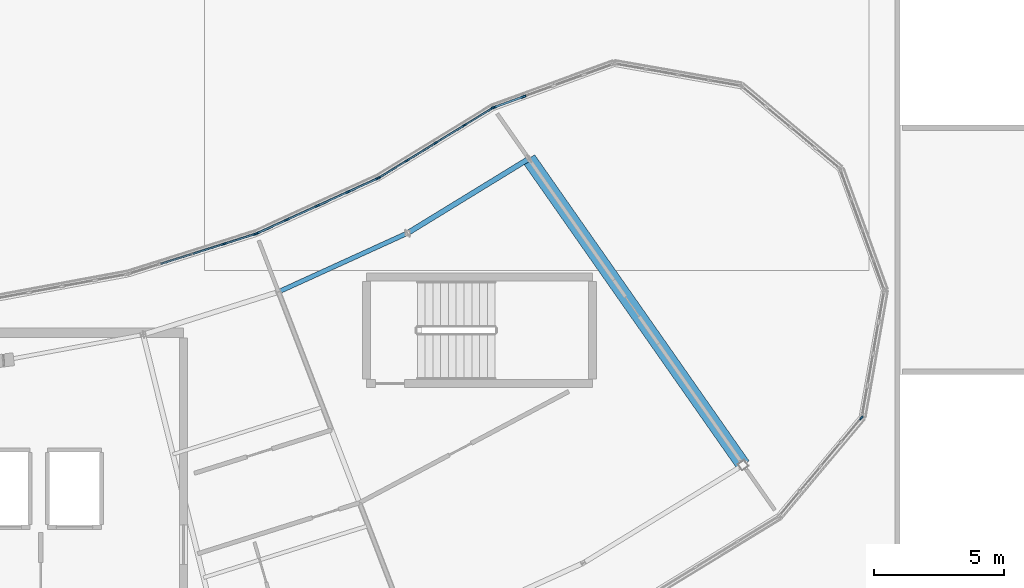
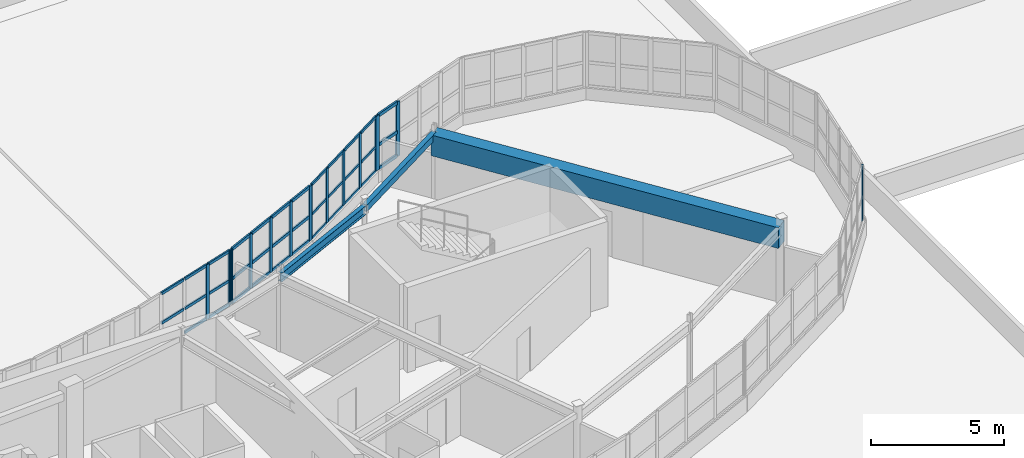
# One storey, part 35 of 128: 50 members, 3 beams, 5 elements without a shape of their own.
"""IFC4 building model written with IfcOpenShell, lengths in metres."""

from ifc_helpers import new_model, si_unit, direction, frame, origin, origin_2d, place, context, subcontext, project, spatial, rectangle, hollow_rectangle, i_section, extrude, material, layer, layer_set, material_profile, profile_set, type_object, element, aggregate, save


model = new_model("IFC4")

# Units and contexts
model_context = context("Model", 3, precision=1e-05, world=origin(), true_north=direction((0.0, 1.0)))
body_context = subcontext(model_context, "Body", "Model", "MODEL_VIEW")
ifc_project = project(units=[si_unit("LENGTHUNIT", "METRE"), si_unit("AREAUNIT", "SQUARE_METRE"), si_unit("VOLUMEUNIT", "CUBIC_METRE"), si_unit("PLANEANGLEUNIT", "RADIAN"), si_unit("MASSUNIT", "GRAM", prefix="KILO")], contexts=[model_context])

# Site, building, storey
site_placement = place(None, origin())
site = spatial("IfcSite", under=ifc_project, at=site_placement, CompositionType="ELEMENT")
building_placement = place(site_placement, origin())
building = spatial("IfcBuilding", under=site, at=building_placement, Name="Tarnwether General Hospital", CompositionType="ELEMENT")
storey_placement = place(building_placement, frame((0.0, 0.0, 14.39990234375)))
storey = spatial("IfcBuildingStorey", under=building, at=storey_placement, Name="L03", CompositionType="ELEMENT", Elevation=14.39990234375)

# Beams
ifc_material_1 = material(Name="Concrete 40 MPa", Category="concrete")
ifc_material_profile_1 = material_profile(ifc_material_1, rectangle(XDim=0.550048828125, YDim=0.949951171875, at=origin_2d()), Name="RC-BM-550x950")
ifc_profile_set_1 = profile_set([ifc_material_profile_1], Name="Concrete 40 MPa")
beam_type_1 = type_object("IfcBeamType", Name="BM-G11", PredefinedType="BEAM", material=ifc_profile_set_1)
beam_1_placement = place(storey_placement, frame((125.9560546875, 14.506103515625, 3.085205078125), z_axis=(-0.573596601347, 0.819137924237, 0.0), x_axis=(-0.819137924237, -0.573596601347, 0.0)))
element("IfcBeam", 1, at=beam_1_placement, inside=storey, type_object=beam_type_1, Name="Curved Ward SE Radial Girder BMG-L03-12596_1451-11770_2630-2104", PredefinedType="BEAM", context=body_context, shape_type="SweptSolid", body=[
    extrude(rectangle(XDim=0.550048828125, YDim=0.949951171875, at=origin_2d()), origin(), (0.0, 0.0, 1.0), 14.400390625),
])
ifc_material_2 = material(Name="Steel Grade 350 (350 MPa)", Category="steel")
ifc_material_profile_2 = material_profile(ifc_material_2, i_section(OverallWidth=0.177978515625, OverallDepth=0.403076171875, WebThickness=0.007568359375, FlangeThickness=0.010986328125, at=origin_2d()), Name="410UB53.7")
ifc_profile_set_2 = profile_set([ifc_material_profile_2], Name="Steel Grade 350 (350 MPa)")
beam_type_2 = type_object("IfcBeamType", Name="BM-SP2", PredefinedType="SPANDREL", material=ifc_profile_set_2)
beam_2_placement = place(storey_placement, frame((108.054931640625, 21.176025390625, 3.358642578125), z_axis=(0.909968605358, 0.414677148228, 0.0), x_axis=(-0.414677148228, 0.909968605358, 0.0)))
element("IfcBeam", 2, at=beam_2_placement, inside=storey, type_object=beam_type_2, Name="Curved Ward SE Inner Spandrel BMG-L03-10806_2118-11303_2344-2128", PredefinedType="SPANDREL", context=body_context, shape_type="SweptSolid", body=[
    extrude(i_section(OverallWidth=0.177978515625, OverallDepth=0.403076171875, WebThickness=0.007568359375, FlangeThickness=0.010986328125, at=origin_2d()), origin(), (0.0, 0.0, 1.0), 5.469482421875),
])
ifc_material_3 = material(Name="Steel Grade C350L0 (350 MPa)", Category="steel")
ifc_material_profile_3 = material_profile(ifc_material_3, hollow_rectangle(XDim=0.199951171875, YDim=0.300048828125, WallThickness=0.012451171875, at=origin_2d()), Name="RHS300x200x12.5")
ifc_profile_set_3 = profile_set([ifc_material_profile_3], Name="Steel Grade C350L0 (350 MPa)")
beam_type_3 = type_object("IfcBeamType", Name="BM-SP3", PredefinedType="SPANDREL", material=ifc_profile_set_3)
beam_3_placement = place(storey_placement, frame((113.031982421875, 23.444091796875, 3.41015625), z_axis=(0.85265897909, 0.522467860617, 0.0), x_axis=(-0.522467860617, 0.85265897909, 0.0)))
element("IfcBeam", 3, at=beam_3_placement, inside=storey, type_object=beam_type_3, Name="Curved Ward SE Inner Spandrel BMG-L03-11303_2344-11770_2630-2130", PredefinedType="SPANDREL", context=body_context, shape_type="SweptSolid", body=[
    extrude(hollow_rectangle(XDim=0.199951171875, YDim=0.300048828125, WallThickness=0.012451171875, at=origin_2d()), origin(), (0.0, 0.0, 1.0), 5.469970703125),
])

# Curtain wall, members
ifc_material_4 = material(Name="Anodised aluminium", Category="aluminium")
ifc_layer = layer(ifc_material_4, 0.159912109375)
ifc_layer_set = layer_set([ifc_layer], Name="Anodised aluminium")
curtain_wall_type = type_object("IfcCurtainWallType", Name="CW-04", PredefinedType="NOTDEFINED", material=ifc_layer_set)
curtain_wall_1_placement = place(storey_placement, origin())
curtain_wall_1 = element("IfcCurtainWall", 4, at=curtain_wall_1_placement, inside=storey, type_object=curtain_wall_type, Name="Curtain Wall CWG-L03-1119_256-0170", PredefinedType="NOTDEFINED")
ifc_material_5 = material(Name="Anodised aluminium", Category="aluminium")
ifc_material_profile_4 = material_profile(ifc_material_5, rectangle(XDim=0.06005859375, YDim=0.159912109375, at=origin_2d()), Name="ALU-MUL-60x160")
ifc_profile_set_4 = profile_set([ifc_material_profile_4], Name="Anodised aluminium")
member_type_1 = type_object("IfcMemberType", Name="CW-ML1", PredefinedType="MULLION", material=ifc_profile_set_4)
member_1_placement = place(storey_placement, frame((111.931640625, 25.57861328125, 1.050048828125), z_axis=(0.0, 0.0, 1.0), x_axis=(-0.522512231483, 0.852631789198, 0.0)))
member_1 = element("IfcMember", 5, at=member_1_placement, type_object=member_type_1, Name="CW-04 mullion 1", PredefinedType="MULLION", context=body_context, shape_type="SweptSolid", body=[
    extrude(rectangle(XDim=0.06005859375, YDim=0.159912109375, at=origin_2d()), origin(), (0.0, 0.0, 1.0), 2.510009765625),
])
member_2_placement = place(storey_placement, frame((113.009521484375, 26.2392578125, 1.050048828125), z_axis=(0.0, 0.0, 1.0), x_axis=(-0.522512231483, 0.852631789198, 0.0)))
member_2 = element("IfcMember", 6, at=member_2_placement, type_object=member_type_1, Name="CW-04 mullion 2", PredefinedType="MULLION", context=body_context, shape_type="SweptSolid", body=[
    extrude(rectangle(XDim=0.06005859375, YDim=0.159912109375, at=origin_2d()), origin(), (0.0, 0.0, 1.0), 2.510009765625),
])
member_3_placement = place(storey_placement, frame((114.113037109375, 26.91552734375, 1.050048828125), z_axis=(0.0, 0.0, 1.0), x_axis=(-0.522512231483, 0.852631789198, 0.0)))
member_3 = element("IfcMember", 7, at=member_3_placement, type_object=member_type_1, Name="CW-04 mullion 3", PredefinedType="MULLION", context=body_context, shape_type="SweptSolid", body=[
    extrude(rectangle(XDim=0.06005859375, YDim=0.159912109375, at=origin_2d()), origin(), (0.0, 0.0, 1.0), 2.510009765625),
])
member_4_placement = place(storey_placement, frame((115.216552734375, 27.591796875, 1.050048828125), z_axis=(0.0, 0.0, 1.0), x_axis=(-0.522512231483, 0.852631789198, 0.0)))
member_4 = element("IfcMember", 8, at=member_4_placement, type_object=member_type_1, Name="CW-04 mullion 4", PredefinedType="MULLION", context=body_context, shape_type="SweptSolid", body=[
    extrude(rectangle(XDim=0.06005859375, YDim=0.159912109375, at=origin_2d()), origin(), (0.0, 0.0, 1.0), 2.510009765625),
])
member_5_placement = place(storey_placement, frame((116.29443359375, 28.25244140625, 1.050048828125), z_axis=(0.0, 0.0, 1.0), x_axis=(-0.522512231483, 0.852631789198, 0.0)))
member_5 = element("IfcMember", 9, at=member_5_placement, type_object=member_type_1, Name="CW-04 mullion 5", PredefinedType="MULLION", context=body_context, shape_type="SweptSolid", body=[
    extrude(rectangle(XDim=0.06005859375, YDim=0.159912109375, at=origin_2d()), origin(), (0.0, 0.0, 1.0), 2.510009765625),
])

curtain_wall_2_placement = place(storey_placement, origin())
curtain_wall_2 = element("IfcCurtainWall", 10, at=curtain_wall_2_placement, inside=storey, type_object=curtain_wall_type, Name="Curtain Wall CWG-L03-1072_234-0171", PredefinedType="NOTDEFINED")
ifc_material_6 = material(Name="Anodised aluminium", Category="aluminium")
ifc_material_profile_5 = material_profile(ifc_material_6, rectangle(XDim=0.070068359375, YDim=0.179931640625, at=origin_2d()), Name="ALU-MUL-70x180")
ifc_profile_set_5 = profile_set([ifc_material_profile_5], Name="Anodised aluminium")
member_type_2 = type_object("IfcMemberType", Name="CW-ML2", PredefinedType="MULLION", material=ifc_profile_set_5)
member_6_placement = place(storey_placement, frame((107.226806640625, 23.430419921875, 1.050048828125), z_axis=(0.0, 0.0, 1.0), x_axis=(-0.41470501572, 0.90995590549, 0.0)))
member_6 = element("IfcMember", 11, at=member_6_placement, type_object=member_type_2, Name="CW-04 mullion 1", PredefinedType="MULLION", context=body_context, shape_type="SweptSolid", body=[
    extrude(rectangle(XDim=0.070068359375, YDim=0.179931640625, at=origin_2d()), origin(), (0.0, 0.0, 1.0), 2.510009765625),
])
member_7_placement = place(storey_placement, frame((108.372802734375, 23.95263671875, 1.050048828125), z_axis=(0.0, 0.0, 1.0), x_axis=(-0.41470501572, 0.90995590549, 0.0)))
member_7 = element("IfcMember", 12, at=member_7_placement, type_object=member_type_2, Name="CW-04 mullion 2", PredefinedType="MULLION", context=body_context, shape_type="SweptSolid", body=[
    extrude(rectangle(XDim=0.070068359375, YDim=0.179931640625, at=origin_2d()), origin(), (0.0, 0.0, 1.0), 2.510009765625),
])
member_8_placement = place(storey_placement, frame((109.550537109375, 24.489501953125, 1.050048828125), z_axis=(0.0, 0.0, 1.0), x_axis=(-0.41470501572, 0.90995590549, 0.0)))
member_8 = element("IfcMember", 13, at=member_8_placement, type_object=member_type_2, Name="CW-04 mullion 3", PredefinedType="MULLION", context=body_context, shape_type="SweptSolid", body=[
    extrude(rectangle(XDim=0.070068359375, YDim=0.179931640625, at=origin_2d()), origin(), (0.0, 0.0, 1.0), 2.510009765625),
])
member_9_placement = place(storey_placement, frame((110.728271484375, 25.0263671875, 1.050048828125), z_axis=(0.0, 0.0, 1.0), x_axis=(-0.41470501572, 0.90995590549, 0.0)))
member_9 = element("IfcMember", 14, at=member_9_placement, type_object=member_type_2, Name="CW-04 mullion 4", PredefinedType="MULLION", context=body_context, shape_type="SweptSolid", body=[
    extrude(rectangle(XDim=0.070068359375, YDim=0.179931640625, at=origin_2d()), origin(), (0.0, 0.0, 1.0), 2.510009765625),
])
member_10_placement = place(storey_placement, frame((111.874267578125, 25.548583984375, 1.050048828125), z_axis=(0.0, 0.0, 1.0), x_axis=(-0.41470501572, 0.90995590549, 0.0)))
member_10 = element("IfcMember", 15, at=member_10_placement, type_object=member_type_2, Name="CW-04 mullion 5", PredefinedType="MULLION", context=body_context, shape_type="SweptSolid", body=[
    extrude(rectangle(XDim=0.070068359375, YDim=0.179931640625, at=origin_2d()), origin(), (0.0, 0.0, 1.0), 2.510009765625),
])

# Curtain wall, member
curtain_wall_3_placement = place(storey_placement, origin())
curtain_wall_3 = element("IfcCurtainWall", 16, at=curtain_wall_3_placement, inside=storey, type_object=curtain_wall_type, Name="Curtain Wall CWG-L03-1305_163-0164", PredefinedType="NOTDEFINED")
ifc_material_7 = material(Name="Anodised aluminium", Category="aluminium")
ifc_material_profile_6 = material_profile(ifc_material_7, rectangle(XDim=0.06494140625, YDim=0.169921875, at=origin_2d()), Name="ALU-MUL-65x170")
ifc_profile_set_6 = profile_set([ifc_material_profile_6], Name="Anodised aluminium")
member_type_3 = type_object("IfcMemberType", Name="CW-ML3", PredefinedType="MULLION", material=ifc_profile_set_6)
member_11_placement = place(storey_placement, frame((130.506103515625, 16.322021484375, 1.050048828125), z_axis=(0.0, 0.0, 1.0), x_axis=(0.765990176896, -0.64285227611, 0.0)))
member_11 = element("IfcMember", 17, at=member_11_placement, type_object=member_type_3, Name="CW-04 mullion 1", PredefinedType="MULLION", context=body_context, shape_type="SweptSolid", body=[
    extrude(rectangle(XDim=0.06494140625, YDim=0.169921875, at=origin_2d()), origin(), (0.0, 0.0, 1.0), 2.510009765625),
])
aggregate(curtain_wall_3, [member_11])

# Curtain wall, members
curtain_wall_4_placement = place(storey_placement, origin())
curtain_wall_4 = element("IfcCurtainWall", 18, at=curtain_wall_4_placement, inside=storey, type_object=curtain_wall_type, Name="Curtain Wall CWG-L03-1023_219-0172", PredefinedType="NOTDEFINED")
member_12_placement = place(storey_placement, frame((105.96044921875, 23.02685546875, 1.050048828125), z_axis=(0.0, 0.0, 1.0), x_axis=(-0.30071538783, 0.953713927508, 0.0)))
member_12 = element("IfcMember", 19, at=member_12_placement, type_object=member_type_3, Name="CW-04 mullion 4", PredefinedType="MULLION", context=body_context, shape_type="SweptSolid", body=[
    extrude(rectangle(XDim=0.06494140625, YDim=0.169921875, at=origin_2d()), origin(), (0.0, 0.0, 1.0), 2.510009765625),
])
member_13_placement = place(storey_placement, frame((107.1640625, 23.40625, 1.050048828125), z_axis=(0.0, 0.0, 1.0), x_axis=(-0.30071538783, 0.953713927508, 0.0)))
member_13 = element("IfcMember", 20, at=member_13_placement, type_object=member_type_3, Name="CW-04 mullion 5", PredefinedType="MULLION", context=body_context, shape_type="SweptSolid", body=[
    extrude(rectangle(XDim=0.06494140625, YDim=0.169921875, at=origin_2d()), origin(), (0.0, 0.0, 1.0), 2.510009765625),
])

curtain_wall_5_placement = place(storey_placement, origin())
curtain_wall_5 = element("IfcCurtainWall", 21, at=curtain_wall_5_placement, inside=storey, type_object=curtain_wall_type, Name="Curtain Wall CWG-L03-1163_283-0169", PredefinedType="NOTDEFINED")
ifc_material_8 = material(Name="Anodised aluminium", Category="aluminium")
ifc_material_profile_7 = material_profile(ifc_material_8, rectangle(XDim=0.080078125, YDim=0.199951171875, at=origin_2d()), Name="ALU-MUL-80x200")
ifc_profile_set_7 = profile_set([ifc_material_profile_7], Name="Anodised aluminium")
member_type_4 = type_object("IfcMemberType", Name="CW-ML4", PredefinedType="MULLION", material=ifc_profile_set_7)
member_14_placement = place(storey_placement, frame((116.357666015625, 28.28173828125, 1.050048828125), z_axis=(0.0, 0.0, 1.0), x_axis=(-0.342130850834, 0.939652319163, 0.0)))
member_14 = element("IfcMember", 22, at=member_14_placement, type_object=member_type_4, Name="CW-04 mullion 1", PredefinedType="MULLION", context=body_context, shape_type="SweptSolid", body=[
    extrude(rectangle(XDim=0.080078125, YDim=0.199951171875, at=origin_2d()), origin(), (0.0, 0.0, 1.0), 2.510009765625),
])
member_15_placement = place(storey_placement, frame((117.4873046875, 28.693115234375, 1.050048828125), z_axis=(0.0, 0.0, 1.0), x_axis=(-0.342130850834, 0.939652319163, 0.0)))
member_15 = element("IfcMember", 23, at=member_15_placement, type_object=member_type_4, Name="CW-04 mullion 2", PredefinedType="MULLION", context=body_context, shape_type="SweptSolid", body=[
    extrude(rectangle(XDim=0.080078125, YDim=0.199951171875, at=origin_2d()), origin(), (0.0, 0.0, 1.0), 2.510009765625),
])

# Member
ifc_material_9 = material(Name="Anodised aluminium", Category="aluminium")
ifc_material_profile_8 = material_profile(ifc_material_9, rectangle(XDim=0.06005859375, YDim=0.1201171875, at=origin_2d()), Name="ALU-TRN-60x120")
ifc_profile_set_8 = profile_set([ifc_material_profile_8], Name="Anodised aluminium")
member_type_5 = type_object("IfcMemberType", Name="CW-TR1", PredefinedType="USERDEFINED", material=ifc_profile_set_8)
member_16_placement = place(storey_placement, frame((111.957275390625, 25.59423828125, 1.080078125), z_axis=(0.852534226729, 0.522671399883, 0.0), x_axis=(-0.522671399883, 0.852534226729, 0.0)))
member_16 = element("IfcMember", 24, at=member_16_placement, type_object=member_type_5, Name="CW-04 transom 1.1", ObjectType="TRANSOM", PredefinedType="USERDEFINED", context=body_context, shape_type="SweptSolid", body=[
    extrude(rectangle(XDim=0.06005859375, YDim=0.1201171875, at=origin_2d()), origin(), (0.0, 0.0, 1.0), 1.2041015625),
])

member_17_placement = place(storey_placement, frame((111.957275390625, 25.59423828125, 2.1796875), z_axis=(0.852534226729, 0.522671399883, 0.0), x_axis=(-0.522671399883, 0.852534226729, 0.0)))
member_17 = element("IfcMember", 25, at=member_17_placement, type_object=member_type_5, Name="CW-04 transom 1.2", ObjectType="TRANSOM", PredefinedType="USERDEFINED", context=body_context, shape_type="SweptSolid", body=[
    extrude(rectangle(XDim=0.06005859375, YDim=0.1201171875, at=origin_2d()), origin(), (0.0, 0.0, 1.0), 1.2041015625),
])

member_18_placement = place(storey_placement, frame((111.957275390625, 25.59423828125, 3.530029296875), z_axis=(0.852534226729, 0.522671399883, 0.0), x_axis=(-0.522671399883, 0.852534226729, 0.0)))
member_18 = element("IfcMember", 26, at=member_18_placement, type_object=member_type_5, Name="CW-04 transom 1.3", ObjectType="TRANSOM", PredefinedType="USERDEFINED", context=body_context, shape_type="SweptSolid", body=[
    extrude(rectangle(XDim=0.06005859375, YDim=0.1201171875, at=origin_2d()), origin(), (0.0, 0.0, 1.0), 1.2041015625),
])

member_19_placement = place(storey_placement, frame((113.03515625, 26.2548828125, 1.080078125), z_axis=(0.852567134861, 0.522617719328, 0.0), x_axis=(-0.522617719328, 0.852567134861, 0.0)))
member_19 = element("IfcMember", 27, at=member_19_placement, type_object=member_type_5, Name="CW-04 transom 2.1", ObjectType="TRANSOM", PredefinedType="USERDEFINED", context=body_context, shape_type="SweptSolid", body=[
    extrude(rectangle(XDim=0.06005859375, YDim=0.1201171875, at=origin_2d()), origin(), (0.0, 0.0, 1.0), 1.234130859375),
])

member_20_placement = place(storey_placement, frame((113.03515625, 26.2548828125, 2.1796875), z_axis=(0.852567134861, 0.522617719328, 0.0), x_axis=(-0.522617719328, 0.852567134861, 0.0)))
member_20 = element("IfcMember", 28, at=member_20_placement, type_object=member_type_5, Name="CW-04 transom 2.2", ObjectType="TRANSOM", PredefinedType="USERDEFINED", context=body_context, shape_type="SweptSolid", body=[
    extrude(rectangle(XDim=0.06005859375, YDim=0.1201171875, at=origin_2d()), origin(), (0.0, 0.0, 1.0), 1.234130859375),
])

member_21_placement = place(storey_placement, frame((113.03515625, 26.2548828125, 3.530029296875), z_axis=(0.852567134861, 0.522617719328, 0.0), x_axis=(-0.522617719328, 0.852567134861, 0.0)))
member_21 = element("IfcMember", 29, at=member_21_placement, type_object=member_type_5, Name="CW-04 transom 2.3", ObjectType="TRANSOM", PredefinedType="USERDEFINED", context=body_context, shape_type="SweptSolid", body=[
    extrude(rectangle(XDim=0.06005859375, YDim=0.1201171875, at=origin_2d()), origin(), (0.0, 0.0, 1.0), 1.234130859375),
])

member_22_placement = place(storey_placement, frame((114.138671875, 26.93115234375, 1.080078125), z_axis=(0.852567134861, 0.522617719328, 0.0), x_axis=(-0.522617719328, 0.852567134861, 0.0)))
member_22 = element("IfcMember", 30, at=member_22_placement, type_object=member_type_5, Name="CW-04 transom 3.1", ObjectType="TRANSOM", PredefinedType="USERDEFINED", context=body_context, shape_type="SweptSolid", body=[
    extrude(rectangle(XDim=0.06005859375, YDim=0.1201171875, at=origin_2d()), origin(), (0.0, 0.0, 1.0), 1.234130859375),
])

member_23_placement = place(storey_placement, frame((114.138671875, 26.93115234375, 2.1796875), z_axis=(0.852567134861, 0.522617719328, 0.0), x_axis=(-0.522617719328, 0.852567134861, 0.0)))
member_23 = element("IfcMember", 31, at=member_23_placement, type_object=member_type_5, Name="CW-04 transom 3.2", ObjectType="TRANSOM", PredefinedType="USERDEFINED", context=body_context, shape_type="SweptSolid", body=[
    extrude(rectangle(XDim=0.06005859375, YDim=0.1201171875, at=origin_2d()), origin(), (0.0, 0.0, 1.0), 1.234130859375),
])

member_24_placement = place(storey_placement, frame((114.138671875, 26.93115234375, 3.530029296875), z_axis=(0.852567134861, 0.522617719328, 0.0), x_axis=(-0.522617719328, 0.852567134861, 0.0)))
member_24 = element("IfcMember", 32, at=member_24_placement, type_object=member_type_5, Name="CW-04 transom 3.3", ObjectType="TRANSOM", PredefinedType="USERDEFINED", context=body_context, shape_type="SweptSolid", body=[
    extrude(rectangle(XDim=0.06005859375, YDim=0.1201171875, at=origin_2d()), origin(), (0.0, 0.0, 1.0), 1.234130859375),
])

member_25_placement = place(storey_placement, frame((115.2421875, 27.607421875, 1.080078125), z_axis=(0.852624564874, 0.5225240199, 0.0), x_axis=(-0.5225240199, 0.852624564874, 0.0)))
member_25 = element("IfcMember", 33, at=member_25_placement, type_object=member_type_5, Name="CW-04 transom 4.1", ObjectType="TRANSOM", PredefinedType="USERDEFINED", context=body_context, shape_type="SweptSolid", body=[
    extrude(rectangle(XDim=0.06005859375, YDim=0.1201171875, at=origin_2d()), origin(), (0.0, 0.0, 1.0), 1.2041015625),
])

member_26_placement = place(storey_placement, frame((115.2421875, 27.607421875, 2.1796875), z_axis=(0.852624564874, 0.5225240199, 0.0), x_axis=(-0.5225240199, 0.852624564874, 0.0)))
member_26 = element("IfcMember", 34, at=member_26_placement, type_object=member_type_5, Name="CW-04 transom 4.2", ObjectType="TRANSOM", PredefinedType="USERDEFINED", context=body_context, shape_type="SweptSolid", body=[
    extrude(rectangle(XDim=0.06005859375, YDim=0.1201171875, at=origin_2d()), origin(), (0.0, 0.0, 1.0), 1.2041015625),
])

member_27_placement = place(storey_placement, frame((115.2421875, 27.607421875, 3.530029296875), z_axis=(0.852624564874, 0.5225240199, 0.0), x_axis=(-0.5225240199, 0.852624564874, 0.0)))
member_27 = element("IfcMember", 35, at=member_27_placement, type_object=member_type_5, Name="CW-04 transom 4.3", ObjectType="TRANSOM", PredefinedType="USERDEFINED", context=body_context, shape_type="SweptSolid", body=[
    extrude(rectangle(XDim=0.06005859375, YDim=0.1201171875, at=origin_2d()), origin(), (0.0, 0.0, 1.0), 1.2041015625),
])

aggregate(curtain_wall_1, [member_1, member_2, member_3, member_4, member_5, member_16, member_17, member_18, member_19, member_20, member_21, member_22, member_23, member_24, member_25, member_26, member_27])

ifc_material_10 = material(Name="Anodised aluminium", Category="aluminium")
ifc_material_profile_9 = material_profile(ifc_material_10, rectangle(XDim=0.070068359375, YDim=0.139892578125, at=origin_2d()), Name="ALU-TRN-70x140")
ifc_profile_set_9 = profile_set([ifc_material_profile_9], Name="Anodised aluminium")
member_type_6 = type_object("IfcMemberType", Name="CW-TR2", PredefinedType="USERDEFINED", material=ifc_profile_set_9)
member_28_placement = place(storey_placement, frame((107.2587890625, 23.445068359375, 1.085205078125), z_axis=(0.909944129752, 0.414730853362, 0.0), x_axis=(-0.414730853362, 0.909944129752, 0.0)))
member_28 = element("IfcMember", 36, at=member_28_placement, type_object=member_type_6, Name="CW-04 transom 1.1", ObjectType="TRANSOM", PredefinedType="USERDEFINED", context=body_context, shape_type="SweptSolid", body=[
    extrude(rectangle(XDim=0.070068359375, YDim=0.139892578125, at=origin_2d()), origin(), (0.0, 0.0, 1.0), 1.189208984375),
])

member_29_placement = place(storey_placement, frame((107.2587890625, 23.445068359375, 2.1796875), z_axis=(0.909944129752, 0.414730853362, 0.0), x_axis=(-0.414730853362, 0.909944129752, 0.0)))
member_29 = element("IfcMember", 37, at=member_29_placement, type_object=member_type_6, Name="CW-04 transom 1.2", ObjectType="TRANSOM", PredefinedType="USERDEFINED", context=body_context, shape_type="SweptSolid", body=[
    extrude(rectangle(XDim=0.070068359375, YDim=0.139892578125, at=origin_2d()), origin(), (0.0, 0.0, 1.0), 1.189208984375),
])

member_30_placement = place(storey_placement, frame((107.2587890625, 23.445068359375, 3.525146484375), z_axis=(0.909944129752, 0.414730853362, 0.0), x_axis=(-0.414730853362, 0.909944129752, 0.0)))
member_30 = element("IfcMember", 38, at=member_30_placement, type_object=member_type_6, Name="CW-04 transom 1.3", ObjectType="TRANSOM", PredefinedType="USERDEFINED", context=body_context, shape_type="SweptSolid", body=[
    extrude(rectangle(XDim=0.070068359375, YDim=0.139892578125, at=origin_2d()), origin(), (0.0, 0.0, 1.0), 1.189208984375),
])

member_31_placement = place(storey_placement, frame((108.404541015625, 23.96728515625, 1.085205078125), z_axis=(0.909922054597, 0.414779284147, 0.0), x_axis=(-0.414779284147, 0.909922054597, 0.0)))
member_31 = element("IfcMember", 39, at=member_31_placement, type_object=member_type_6, Name="CW-04 transom 2.1", ObjectType="TRANSOM", PredefinedType="USERDEFINED", context=body_context, shape_type="SweptSolid", body=[
    extrude(rectangle(XDim=0.070068359375, YDim=0.139892578125, at=origin_2d()), origin(), (0.0, 0.0, 1.0), 1.224365234375),
])

member_32_placement = place(storey_placement, frame((108.404541015625, 23.96728515625, 2.1796875), z_axis=(0.909922054597, 0.414779284147, 0.0), x_axis=(-0.414779284147, 0.909922054597, 0.0)))
member_32 = element("IfcMember", 40, at=member_32_placement, type_object=member_type_6, Name="CW-04 transom 2.2", ObjectType="TRANSOM", PredefinedType="USERDEFINED", context=body_context, shape_type="SweptSolid", body=[
    extrude(rectangle(XDim=0.070068359375, YDim=0.139892578125, at=origin_2d()), origin(), (0.0, 0.0, 1.0), 1.224365234375),
])

member_33_placement = place(storey_placement, frame((108.404541015625, 23.96728515625, 3.525146484375), z_axis=(0.909922054597, 0.414779284147, 0.0), x_axis=(-0.414779284147, 0.909922054597, 0.0)))
member_33 = element("IfcMember", 41, at=member_33_placement, type_object=member_type_6, Name="CW-04 transom 2.3", ObjectType="TRANSOM", PredefinedType="USERDEFINED", context=body_context, shape_type="SweptSolid", body=[
    extrude(rectangle(XDim=0.070068359375, YDim=0.139892578125, at=origin_2d()), origin(), (0.0, 0.0, 1.0), 1.224365234375),
])

member_34_placement = place(storey_placement, frame((109.582275390625, 24.50390625, 1.085205078125), z_axis=(0.909922054597, 0.414779284147, 0.0), x_axis=(-0.414779284147, 0.909922054597, 0.0)))
member_34 = element("IfcMember", 42, at=member_34_placement, type_object=member_type_6, Name="CW-04 transom 3.1", ObjectType="TRANSOM", PredefinedType="USERDEFINED", context=body_context, shape_type="SweptSolid", body=[
    extrude(rectangle(XDim=0.070068359375, YDim=0.139892578125, at=origin_2d()), origin(), (0.0, 0.0, 1.0), 1.224365234375),
])

member_35_placement = place(storey_placement, frame((109.582275390625, 24.50390625, 2.1796875), z_axis=(0.909922054597, 0.414779284147, 0.0), x_axis=(-0.414779284147, 0.909922054597, 0.0)))
member_35 = element("IfcMember", 43, at=member_35_placement, type_object=member_type_6, Name="CW-04 transom 3.2", ObjectType="TRANSOM", PredefinedType="USERDEFINED", context=body_context, shape_type="SweptSolid", body=[
    extrude(rectangle(XDim=0.070068359375, YDim=0.139892578125, at=origin_2d()), origin(), (0.0, 0.0, 1.0), 1.224365234375),
])

member_36_placement = place(storey_placement, frame((109.582275390625, 24.50390625, 3.525146484375), z_axis=(0.909922054597, 0.414779284147, 0.0), x_axis=(-0.414779284147, 0.909922054597, 0.0)))
member_36 = element("IfcMember", 44, at=member_36_placement, type_object=member_type_6, Name="CW-04 transom 3.3", ObjectType="TRANSOM", PredefinedType="USERDEFINED", context=body_context, shape_type="SweptSolid", body=[
    extrude(rectangle(XDim=0.070068359375, YDim=0.139892578125, at=origin_2d()), origin(), (0.0, 0.0, 1.0), 1.224365234375),
])

member_37_placement = place(storey_placement, frame((110.760009765625, 25.040771484375, 1.085205078125), z_axis=(0.909979433919, 0.414653385183, 0.0), x_axis=(-0.414653385183, 0.909979433919, 0.0)))
member_37 = element("IfcMember", 45, at=member_37_placement, type_object=member_type_6, Name="CW-04 transom 4.1", ObjectType="TRANSOM", PredefinedType="USERDEFINED", context=body_context, shape_type="SweptSolid", body=[
    extrude(rectangle(XDim=0.070068359375, YDim=0.139892578125, at=origin_2d()), origin(), (0.0, 0.0, 1.0), 1.189453125),
])

member_38_placement = place(storey_placement, frame((110.760009765625, 25.040771484375, 2.1796875), z_axis=(0.909979433919, 0.414653385183, 0.0), x_axis=(-0.414653385183, 0.909979433919, 0.0)))
member_38 = element("IfcMember", 46, at=member_38_placement, type_object=member_type_6, Name="CW-04 transom 4.2", ObjectType="TRANSOM", PredefinedType="USERDEFINED", context=body_context, shape_type="SweptSolid", body=[
    extrude(rectangle(XDim=0.070068359375, YDim=0.139892578125, at=origin_2d()), origin(), (0.0, 0.0, 1.0), 1.189453125),
])

member_39_placement = place(storey_placement, frame((110.760009765625, 25.040771484375, 3.525146484375), z_axis=(0.909979433919, 0.414653385183, 0.0), x_axis=(-0.414653385183, 0.909979433919, 0.0)))
member_39 = element("IfcMember", 47, at=member_39_placement, type_object=member_type_6, Name="CW-04 transom 4.3", ObjectType="TRANSOM", PredefinedType="USERDEFINED", context=body_context, shape_type="SweptSolid", body=[
    extrude(rectangle(XDim=0.070068359375, YDim=0.139892578125, at=origin_2d()), origin(), (0.0, 0.0, 1.0), 1.189453125),
])

aggregate(curtain_wall_2, [member_6, member_7, member_8, member_9, member_10, member_28, member_29, member_30, member_31, member_32, member_33, member_34, member_35, member_36, member_37, member_38, member_39])

ifc_material_11 = material(Name="Anodised aluminium", Category="aluminium")
ifc_material_profile_10 = material_profile(ifc_material_11, rectangle(XDim=0.06494140625, YDim=0.1298828125, at=origin_2d()), Name="ALU-TRN-65x130")
ifc_profile_set_10 = profile_set([ifc_material_profile_10], Name="Anodised aluminium")
member_type_7 = type_object("IfcMemberType", Name="CW-TR3", PredefinedType="USERDEFINED", material=ifc_profile_set_10)
member_40_placement = place(storey_placement, frame((103.5224609375, 22.258056640625, 2.1796875), z_axis=(0.953738593223, 0.300637149727, 0.0), x_axis=(-0.300637149727, 0.953738593223, 0.0)))
member_40 = element("IfcMember", 48, at=member_40_placement, type_object=member_type_7, Name="CW-04 transom 2.2", ObjectType="TRANSOM", PredefinedType="USERDEFINED", context=body_context, shape_type="SweptSolid", body=[
    extrude(rectangle(XDim=0.06494140625, YDim=0.1298828125, at=origin_2d()), origin(), (0.0, 0.0, 1.0), 1.2294921875),
])

member_41_placement = place(storey_placement, frame((103.5224609375, 22.258056640625, 3.527587890625), z_axis=(0.953738593223, 0.300637149727, 0.0), x_axis=(-0.300637149727, 0.953738593223, 0.0)))
member_41 = element("IfcMember", 49, at=member_41_placement, type_object=member_type_7, Name="CW-04 transom 2.3", ObjectType="TRANSOM", PredefinedType="USERDEFINED", context=body_context, shape_type="SweptSolid", body=[
    extrude(rectangle(XDim=0.06494140625, YDim=0.1298828125, at=origin_2d()), origin(), (0.0, 0.0, 1.0), 1.2294921875),
])

member_42_placement = place(storey_placement, frame((104.757080078125, 22.647216796875, 1.08251953125), z_axis=(0.953663670259, 0.300874731454, 0.0), x_axis=(-0.300874731454, 0.953663670259, 0.0)))
member_42 = element("IfcMember", 50, at=member_42_placement, type_object=member_type_7, Name="CW-04 transom 3.1", ObjectType="TRANSOM", PredefinedType="USERDEFINED", context=body_context, shape_type="SweptSolid", body=[
    extrude(rectangle(XDim=0.06494140625, YDim=0.1298828125, at=origin_2d()), origin(), (0.0, 0.0, 1.0), 1.229248046875),
])

member_43_placement = place(storey_placement, frame((104.757080078125, 22.647216796875, 2.1796875), z_axis=(0.953663670259, 0.300874731454, 0.0), x_axis=(-0.300874731454, 0.953663670259, 0.0)))
member_43 = element("IfcMember", 51, at=member_43_placement, type_object=member_type_7, Name="CW-04 transom 3.2", ObjectType="TRANSOM", PredefinedType="USERDEFINED", context=body_context, shape_type="SweptSolid", body=[
    extrude(rectangle(XDim=0.06494140625, YDim=0.1298828125, at=origin_2d()), origin(), (0.0, 0.0, 1.0), 1.229248046875),
])

member_44_placement = place(storey_placement, frame((104.757080078125, 22.647216796875, 3.527587890625), z_axis=(0.953663670259, 0.300874731454, 0.0), x_axis=(-0.300874731454, 0.953663670259, 0.0)))
member_44 = element("IfcMember", 52, at=member_44_placement, type_object=member_type_7, Name="CW-04 transom 3.3", ObjectType="TRANSOM", PredefinedType="USERDEFINED", context=body_context, shape_type="SweptSolid", body=[
    extrude(rectangle(XDim=0.06494140625, YDim=0.1298828125, at=origin_2d()), origin(), (0.0, 0.0, 1.0), 1.229248046875),
])

member_45_placement = place(storey_placement, frame((105.991455078125, 23.03662109375, 1.08251953125), z_axis=(0.953736669357, 0.300643252915, 0.0), x_axis=(-0.300643252915, 0.953736669357, 0.0)))
member_45 = element("IfcMember", 53, at=member_45_placement, type_object=member_type_7, Name="CW-04 transom 4.1", ObjectType="TRANSOM", PredefinedType="USERDEFINED", context=body_context, shape_type="SweptSolid", body=[
    extrude(rectangle(XDim=0.06494140625, YDim=0.1298828125, at=origin_2d()), origin(), (0.0, 0.0, 1.0), 1.197021484375),
])

member_46_placement = place(storey_placement, frame((105.991455078125, 23.03662109375, 2.1796875), z_axis=(0.953736669357, 0.300643252915, 0.0), x_axis=(-0.300643252915, 0.953736669357, 0.0)))
member_46 = element("IfcMember", 54, at=member_46_placement, type_object=member_type_7, Name="CW-04 transom 4.2", ObjectType="TRANSOM", PredefinedType="USERDEFINED", context=body_context, shape_type="SweptSolid", body=[
    extrude(rectangle(XDim=0.06494140625, YDim=0.1298828125, at=origin_2d()), origin(), (0.0, 0.0, 1.0), 1.197021484375),
])

member_47_placement = place(storey_placement, frame((105.991455078125, 23.03662109375, 3.527587890625), z_axis=(0.953736669357, 0.300643252915, 0.0), x_axis=(-0.300643252915, 0.953736669357, 0.0)))
member_47 = element("IfcMember", 55, at=member_47_placement, type_object=member_type_7, Name="CW-04 transom 4.3", ObjectType="TRANSOM", PredefinedType="USERDEFINED", context=body_context, shape_type="SweptSolid", body=[
    extrude(rectangle(XDim=0.06494140625, YDim=0.1298828125, at=origin_2d()), origin(), (0.0, 0.0, 1.0), 1.197021484375),
])

aggregate(curtain_wall_4, [member_12, member_13, member_40, member_41, member_42, member_43, member_44, member_45, member_46, member_47])

ifc_material_12 = material(Name="Anodised aluminium", Category="aluminium")
ifc_material_profile_11 = material_profile(ifc_material_12, rectangle(XDim=0.080078125, YDim=0.14990234375, at=origin_2d()), Name="ALU-TRN-80x150")
ifc_profile_set_11 = profile_set([ifc_material_profile_11], Name="Anodised aluminium")
member_type_8 = type_object("IfcMemberType", Name="CW-TR4", PredefinedType="USERDEFINED", material=ifc_profile_set_11)
member_48_placement = place(storey_placement, frame((116.395263671875, 28.29541015625, 1.090087890625), z_axis=(0.939691742636, 0.342022556014, 0.0), x_axis=(-0.342022556014, 0.939691742636, 0.0)))
member_48 = element("IfcMember", 56, at=member_48_placement, type_object=member_type_8, Name="CW-04 transom 1.1", ObjectType="TRANSOM", PredefinedType="USERDEFINED", context=body_context, shape_type="SweptSolid", body=[
    extrude(rectangle(XDim=0.080078125, YDim=0.14990234375, at=origin_2d()), origin(), (0.0, 0.0, 1.0), 1.1220703125),
])

member_49_placement = place(storey_placement, frame((116.395263671875, 28.29541015625, 2.1796875), z_axis=(0.939691742636, 0.342022556014, 0.0), x_axis=(-0.342022556014, 0.939691742636, 0.0)))
member_49 = element("IfcMember", 57, at=member_49_placement, type_object=member_type_8, Name="CW-04 transom 1.2", ObjectType="TRANSOM", PredefinedType="USERDEFINED", context=body_context, shape_type="SweptSolid", body=[
    extrude(rectangle(XDim=0.080078125, YDim=0.14990234375, at=origin_2d()), origin(), (0.0, 0.0, 1.0), 1.1220703125),
])

member_50_placement = place(storey_placement, frame((116.395263671875, 28.29541015625, 3.52001953125), z_axis=(0.939691742636, 0.342022556014, 0.0), x_axis=(-0.342022556014, 0.939691742636, 0.0)))
member_50 = element("IfcMember", 58, at=member_50_placement, type_object=member_type_8, Name="CW-04 transom 1.3", ObjectType="TRANSOM", PredefinedType="USERDEFINED", context=body_context, shape_type="SweptSolid", body=[
    extrude(rectangle(XDim=0.080078125, YDim=0.14990234375, at=origin_2d()), origin(), (0.0, 0.0, 1.0), 1.1220703125),
])

aggregate(curtain_wall_5, [member_14, member_15, member_48, member_49, member_50])

save(model, "model.ifc")
